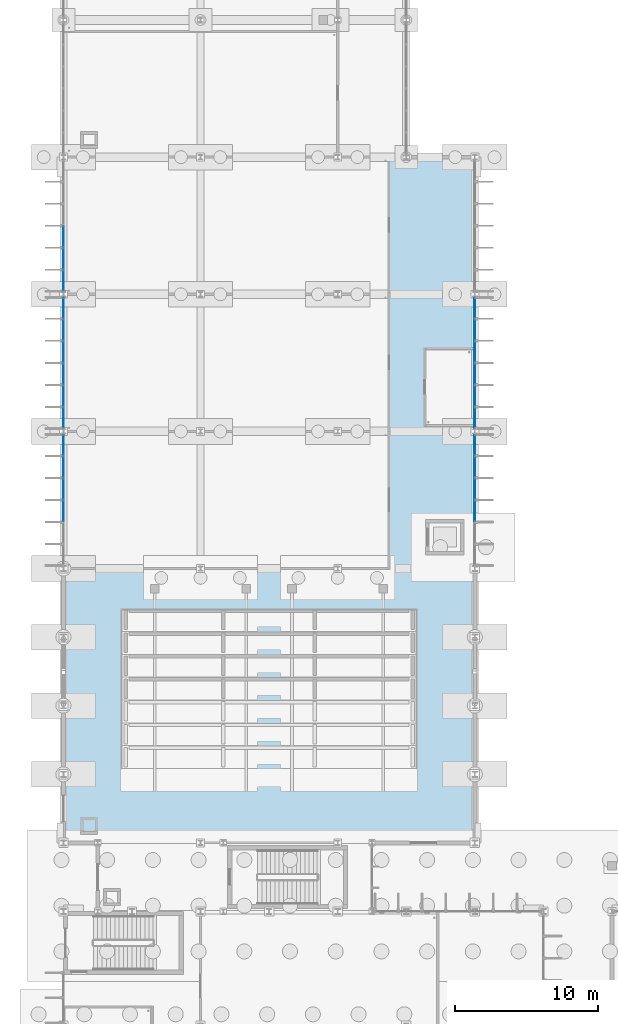
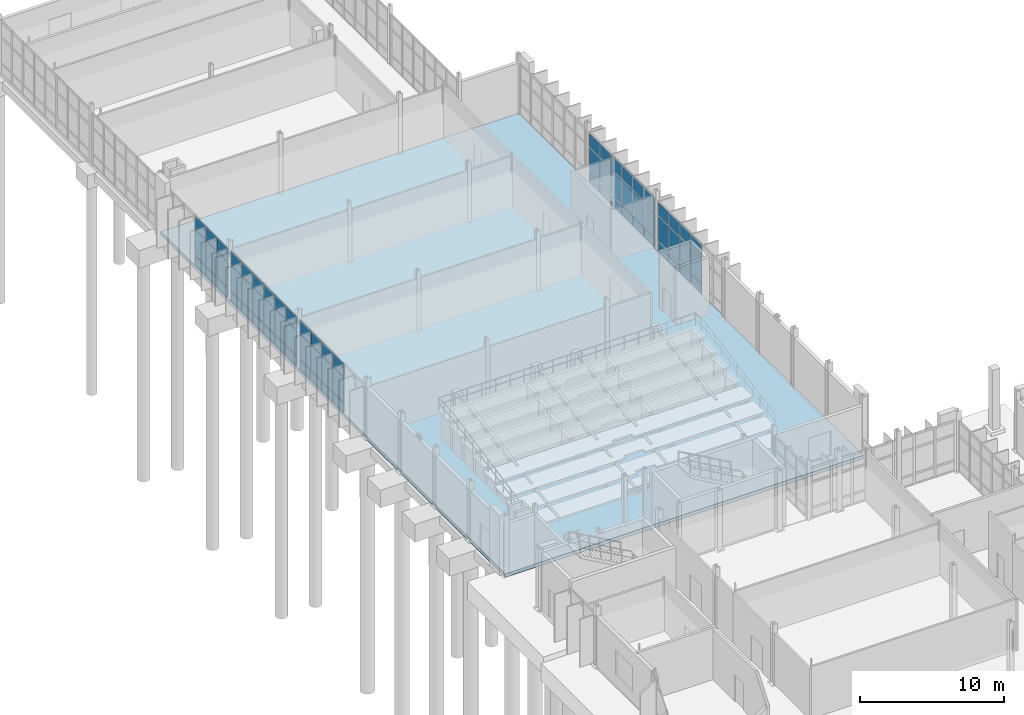
# One storey, part 46 of 111: 69 plates, 1 slab, 5 elements without a shape of their own.
"""IFC4 building model written with IfcOpenShell, lengths in metres."""

from ifc_helpers import new_model, si_unit, direction, frame, origin, origin_2d, place, context, subcontext, project, spatial, polyline, rectangle, outline, extrude, material, layer, layer_set, type_object, element, aggregate, save


model = new_model("IFC4")

# Units and contexts
model_context = context("Model", 3, precision=1e-05, world=origin(), true_north=direction((0.0, 1.0)))
body_context = subcontext(model_context, "Body", "Model", "MODEL_VIEW")
ifc_project = project(units=[si_unit("LENGTHUNIT", "METRE"), si_unit("AREAUNIT", "SQUARE_METRE"), si_unit("VOLUMEUNIT", "CUBIC_METRE"), si_unit("PLANEANGLEUNIT", "RADIAN"), si_unit("MASSUNIT", "GRAM", prefix="KILO")], contexts=[model_context])

# Site, building, storey
site_placement = place(None, origin())
site = spatial("IfcSite", under=ifc_project, at=site_placement, CompositionType="ELEMENT")
building_placement = place(site_placement, origin())
building = spatial("IfcBuilding", under=site, at=building_placement, Name="Dunescarp Central Library", CompositionType="ELEMENT")
storey_placement = place(building_placement, origin())
storey = spatial("IfcBuildingStorey", under=building, at=storey_placement, Name="L00", CompositionType="ELEMENT", Elevation=0.0)

# Curtain wall, plates
ifc_material_1 = material(Name="Marine-grade anodised aluminium 6063-T6", Category="aluminium")
curtain_wall_type = type_object("IfcCurtainWallType", Name="ARC-CW-STICK", PredefinedType="NOTDEFINED", material=ifc_material_1)
curtain_wall_1_placement = place(storey_placement, origin())
curtain_wall_1 = element("IfcCurtainWall", 1, at=curtain_wall_1_placement, inside=storey, type_object=curtain_wall_type, Name="L00 curtain wall CW-V4-112", PredefinedType="NOTDEFINED")
ifc_material_2 = material(Name="Solar-control laminated double glazing", Category="glass")
ifc_layer_1 = layer(ifc_material_2, 0.028076171875)
ifc_layer_set_1 = layer_set([ifc_layer_1], Name="Solar-control laminated double glazing")
plate_type_1 = type_object("IfcPlateType", Name="ARC-PLT-GLZ28", PredefinedType="CURTAIN_PANEL", material=ifc_layer_set_1)
plate_1_placement = place(storey_placement, frame((0.0, 64.8291015625, 0.93994140625), z_axis=(0.0, 0.0, 1.0), x_axis=(0.0, 1.0, 0.0)))
plate_1 = element("IfcPlate", 2, at=plate_1_placement, type_object=plate_type_1, Name="CW-V4-112 panel 3.2", PredefinedType="CURTAIN_PANEL", context=body_context, shape_type="SweptSolid", body=[
    extrude(rectangle(XDim=1.461669921875, YDim=0.028076171875, at=origin_2d()), origin(), (0.0, 0.0, 1.0), 2.1201171875),
])
plate_2_placement = place(storey_placement, frame((0.0, 64.8291015625, 3.139892578125), z_axis=(0.0, 0.0, 1.0), x_axis=(0.0, 1.0, 0.0)))
plate_2 = element("IfcPlate", 3, at=plate_2_placement, type_object=plate_type_1, Name="CW-V4-112 panel 3.3", PredefinedType="CURTAIN_PANEL", context=body_context, shape_type="SweptSolid", body=[
    extrude(rectangle(XDim=1.461669921875, YDim=0.028076171875, at=origin_2d()), origin(), (0.0, 0.0, 1.0), 1.10205078125),
])
plate_3_placement = place(storey_placement, frame((0.0, 66.370849609375, 0.93994140625), z_axis=(0.0, 0.0, 1.0), x_axis=(0.0, 1.0, 0.0)))
plate_3 = element("IfcPlate", 4, at=plate_3_placement, type_object=plate_type_1, Name="CW-V4-112 panel 4.2", PredefinedType="CURTAIN_PANEL", context=body_context, shape_type="SweptSolid", body=[
    extrude(rectangle(XDim=1.461669921875, YDim=0.028076171875, at=origin_2d()), origin(), (0.0, 0.0, 1.0), 2.1201171875),
])
plate_4_placement = place(storey_placement, frame((0.0, 66.370849609375, 3.139892578125), z_axis=(0.0, 0.0, 1.0), x_axis=(0.0, 1.0, 0.0)))
plate_4 = element("IfcPlate", 5, at=plate_4_placement, type_object=plate_type_1, Name="CW-V4-112 panel 4.3", PredefinedType="CURTAIN_PANEL", context=body_context, shape_type="SweptSolid", body=[
    extrude(rectangle(XDim=1.461669921875, YDim=0.028076171875, at=origin_2d()), origin(), (0.0, 0.0, 1.0), 1.10205078125),
])
plate_5_placement = place(storey_placement, frame((0.0, 67.91259765625, 0.93994140625), z_axis=(0.0, 0.0, 1.0), x_axis=(0.0, 1.0, 0.0)))
plate_5 = element("IfcPlate", 6, at=plate_5_placement, type_object=plate_type_1, Name="CW-V4-112 panel 5.2", PredefinedType="CURTAIN_PANEL", context=body_context, shape_type="SweptSolid", body=[
    extrude(rectangle(XDim=1.461669921875, YDim=0.028076171875, at=origin_2d()), origin(), (0.0, 0.0, 1.0), 2.1201171875),
])
plate_6_placement = place(storey_placement, frame((0.0, 67.91259765625, 3.139892578125), z_axis=(0.0, 0.0, 1.0), x_axis=(0.0, 1.0, 0.0)))
plate_6 = element("IfcPlate", 7, at=plate_6_placement, type_object=plate_type_1, Name="CW-V4-112 panel 5.3", PredefinedType="CURTAIN_PANEL", context=body_context, shape_type="SweptSolid", body=[
    extrude(rectangle(XDim=1.461669921875, YDim=0.028076171875, at=origin_2d()), origin(), (0.0, 0.0, 1.0), 1.10205078125),
])
plate_7_placement = place(storey_placement, frame((0.0, 69.43408203125, 0.93994140625), z_axis=(0.0, 0.0, 1.0), x_axis=(0.0, 1.0, 0.0)))
plate_7 = element("IfcPlate", 8, at=plate_7_placement, type_object=plate_type_1, Name="CW-V4-112 panel 6.2", PredefinedType="CURTAIN_PANEL", context=body_context, shape_type="SweptSolid", body=[
    extrude(rectangle(XDim=1.421630859375, YDim=0.028076171875, at=origin_2d()), origin(), (0.0, 0.0, 1.0), 2.1201171875),
])
plate_8_placement = place(storey_placement, frame((0.0, 69.43408203125, 3.139892578125), z_axis=(0.0, 0.0, 1.0), x_axis=(0.0, 1.0, 0.0)))
plate_8 = element("IfcPlate", 9, at=plate_8_placement, type_object=plate_type_1, Name="CW-V4-112 panel 6.3", PredefinedType="CURTAIN_PANEL", context=body_context, shape_type="SweptSolid", body=[
    extrude(rectangle(XDim=1.421630859375, YDim=0.028076171875, at=origin_2d()), origin(), (0.0, 0.0, 1.0), 1.10205078125),
])

curtain_wall_2_placement = place(storey_placement, origin())
curtain_wall_2 = element("IfcCurtainWall", 10, at=curtain_wall_2_placement, inside=storey, type_object=curtain_wall_type, Name="L00 curtain wall CW-V4-113", PredefinedType="NOTDEFINED")
plate_9_placement = place(storey_placement, frame((28.800048828125, 69.43408203125, 0.93994140625), z_axis=(0.0, 0.0, 1.0), x_axis=(0.0, -1.0, 0.0)))
plate_9 = element("IfcPlate", 11, at=plate_9_placement, type_object=plate_type_1, Name="CW-V4-113 panel 1.2", PredefinedType="CURTAIN_PANEL", context=body_context, shape_type="SweptSolid", body=[
    extrude(rectangle(XDim=1.421630859375, YDim=0.028076171875, at=origin_2d()), origin(), (0.0, 0.0, 1.0), 2.1201171875),
])
plate_10_placement = place(storey_placement, frame((28.800048828125, 69.43408203125, 3.139892578125), z_axis=(0.0, 0.0, 1.0), x_axis=(0.0, -1.0, 0.0)))
plate_10 = element("IfcPlate", 12, at=plate_10_placement, type_object=plate_type_1, Name="CW-V4-113 panel 1.3", PredefinedType="CURTAIN_PANEL", context=body_context, shape_type="SweptSolid", body=[
    extrude(rectangle(XDim=1.421630859375, YDim=0.028076171875, at=origin_2d()), origin(), (0.0, 0.0, 1.0), 1.10205078125),
])
plate_11_placement = place(storey_placement, frame((28.800048828125, 67.91259765625, 0.93994140625), z_axis=(0.0, 0.0, 1.0), x_axis=(0.0, -1.0, 0.0)))
plate_11 = element("IfcPlate", 13, at=plate_11_placement, type_object=plate_type_1, Name="CW-V4-113 panel 2.2", PredefinedType="CURTAIN_PANEL", context=body_context, shape_type="SweptSolid", body=[
    extrude(rectangle(XDim=1.461669921875, YDim=0.028076171875, at=origin_2d()), origin(), (0.0, 0.0, 1.0), 2.1201171875),
])
plate_12_placement = place(storey_placement, frame((28.800048828125, 67.91259765625, 3.139892578125), z_axis=(0.0, 0.0, 1.0), x_axis=(0.0, -1.0, 0.0)))
plate_12 = element("IfcPlate", 14, at=plate_12_placement, type_object=plate_type_1, Name="CW-V4-113 panel 2.3", PredefinedType="CURTAIN_PANEL", context=body_context, shape_type="SweptSolid", body=[
    extrude(rectangle(XDim=1.461669921875, YDim=0.028076171875, at=origin_2d()), origin(), (0.0, 0.0, 1.0), 1.10205078125),
])
plate_13_placement = place(storey_placement, frame((28.800048828125, 66.370849609375, 0.93994140625), z_axis=(0.0, 0.0, 1.0), x_axis=(0.0, -1.0, 0.0)))
plate_13 = element("IfcPlate", 15, at=plate_13_placement, type_object=plate_type_1, Name="CW-V4-113 panel 3.2", PredefinedType="CURTAIN_PANEL", context=body_context, shape_type="SweptSolid", body=[
    extrude(rectangle(XDim=1.461669921875, YDim=0.028076171875, at=origin_2d()), origin(), (0.0, 0.0, 1.0), 2.1201171875),
])
plate_14_placement = place(storey_placement, frame((28.800048828125, 66.370849609375, 3.139892578125), z_axis=(0.0, 0.0, 1.0), x_axis=(0.0, -1.0, 0.0)))
plate_14 = element("IfcPlate", 16, at=plate_14_placement, type_object=plate_type_1, Name="CW-V4-113 panel 3.3", PredefinedType="CURTAIN_PANEL", context=body_context, shape_type="SweptSolid", body=[
    extrude(rectangle(XDim=1.461669921875, YDim=0.028076171875, at=origin_2d()), origin(), (0.0, 0.0, 1.0), 1.10205078125),
])
plate_15_placement = place(storey_placement, frame((28.800048828125, 64.8291015625, 0.93994140625), z_axis=(0.0, 0.0, 1.0), x_axis=(0.0, -1.0, 0.0)))
plate_15 = element("IfcPlate", 17, at=plate_15_placement, type_object=plate_type_1, Name="CW-V4-113 panel 4.2", PredefinedType="CURTAIN_PANEL", context=body_context, shape_type="SweptSolid", body=[
    extrude(rectangle(XDim=1.461669921875, YDim=0.028076171875, at=origin_2d()), origin(), (0.0, 0.0, 1.0), 2.1201171875),
])
plate_16_placement = place(storey_placement, frame((28.800048828125, 64.8291015625, 3.139892578125), z_axis=(0.0, 0.0, 1.0), x_axis=(0.0, -1.0, 0.0)))
plate_16 = element("IfcPlate", 18, at=plate_16_placement, type_object=plate_type_1, Name="CW-V4-113 panel 4.3", PredefinedType="CURTAIN_PANEL", context=body_context, shape_type="SweptSolid", body=[
    extrude(rectangle(XDim=1.461669921875, YDim=0.028076171875, at=origin_2d()), origin(), (0.0, 0.0, 1.0), 1.10205078125),
])

curtain_wall_3_placement = place(storey_placement, origin())
curtain_wall_3 = element("IfcCurtainWall", 19, at=curtain_wall_3_placement, inside=storey, type_object=curtain_wall_type, Name="L00 curtain wall CW-V4-114", PredefinedType="NOTDEFINED")
plate_17_placement = place(storey_placement, frame((0.0, 71.36572265625, 0.93994140625), z_axis=(0.0, 0.0, 1.0), x_axis=(0.0, 1.0, 0.0)))
plate_17 = element("IfcPlate", 20, at=plate_17_placement, type_object=plate_type_1, Name="CW-V4-114 panel 1.2", PredefinedType="CURTAIN_PANEL", context=body_context, shape_type="SweptSolid", body=[
    extrude(rectangle(XDim=1.421630859375, YDim=0.028076171875, at=origin_2d()), origin(), (0.0, 0.0, 1.0), 2.1201171875),
])
plate_18_placement = place(storey_placement, frame((0.0, 71.36572265625, 3.14013671875), z_axis=(0.0, 0.0, 1.0), x_axis=(0.0, 1.0, 0.0)))
plate_18 = element("IfcPlate", 21, at=plate_18_placement, type_object=plate_type_1, Name="CW-V4-114 panel 1.3", PredefinedType="CURTAIN_PANEL", context=body_context, shape_type="SweptSolid", body=[
    extrude(rectangle(XDim=1.421630859375, YDim=0.028076171875, at=origin_2d()), origin(), (0.0, 0.0, 1.0), 1.135009765625),
])
plate_19_placement = place(storey_placement, frame((0.0, 72.887451171875, 0.93994140625), z_axis=(0.0, 0.0, 1.0), x_axis=(0.0, 1.0, 0.0)))
plate_19 = element("IfcPlate", 22, at=plate_19_placement, type_object=plate_type_1, Name="CW-V4-114 panel 2.2", PredefinedType="CURTAIN_PANEL", context=body_context, shape_type="SweptSolid", body=[
    extrude(rectangle(XDim=1.461669921875, YDim=0.028076171875, at=origin_2d()), origin(), (0.0, 0.0, 1.0), 2.1201171875),
])
plate_20_placement = place(storey_placement, frame((0.0, 72.887451171875, 3.14013671875), z_axis=(0.0, 0.0, 1.0), x_axis=(0.0, 1.0, 0.0)))
plate_20 = element("IfcPlate", 23, at=plate_20_placement, type_object=plate_type_1, Name="CW-V4-114 panel 2.3", PredefinedType="CURTAIN_PANEL", context=body_context, shape_type="SweptSolid", body=[
    extrude(rectangle(XDim=1.461669921875, YDim=0.028076171875, at=origin_2d()), origin(), (0.0, 0.0, 1.0), 1.135009765625),
])
plate_21_placement = place(storey_placement, frame((0.0, 74.42919921875, 0.93994140625), z_axis=(0.0, 0.0, 1.0), x_axis=(0.0, 1.0, 0.0)))
plate_21 = element("IfcPlate", 24, at=plate_21_placement, type_object=plate_type_1, Name="CW-V4-114 panel 3.2", PredefinedType="CURTAIN_PANEL", context=body_context, shape_type="SweptSolid", body=[
    extrude(rectangle(XDim=1.461669921875, YDim=0.028076171875, at=origin_2d()), origin(), (0.0, 0.0, 1.0), 2.1201171875),
])
plate_22_placement = place(storey_placement, frame((0.0, 74.42919921875, 3.14013671875), z_axis=(0.0, 0.0, 1.0), x_axis=(0.0, 1.0, 0.0)))
plate_22 = element("IfcPlate", 25, at=plate_22_placement, type_object=plate_type_1, Name="CW-V4-114 panel 3.3", PredefinedType="CURTAIN_PANEL", context=body_context, shape_type="SweptSolid", body=[
    extrude(rectangle(XDim=1.461669921875, YDim=0.028076171875, at=origin_2d()), origin(), (0.0, 0.0, 1.0), 1.135009765625),
])
plate_23_placement = place(storey_placement, frame((0.0, 75.970947265625, 0.93994140625), z_axis=(0.0, 0.0, 1.0), x_axis=(0.0, 1.0, 0.0)))
plate_23 = element("IfcPlate", 26, at=plate_23_placement, type_object=plate_type_1, Name="CW-V4-114 panel 4.2", PredefinedType="CURTAIN_PANEL", context=body_context, shape_type="SweptSolid", body=[
    extrude(rectangle(XDim=1.461669921875, YDim=0.028076171875, at=origin_2d()), origin(), (0.0, 0.0, 1.0), 2.1201171875),
])
plate_24_placement = place(storey_placement, frame((0.0, 75.970947265625, 3.14013671875), z_axis=(0.0, 0.0, 1.0), x_axis=(0.0, 1.0, 0.0)))
plate_24 = element("IfcPlate", 27, at=plate_24_placement, type_object=plate_type_1, Name="CW-V4-114 panel 4.3", PredefinedType="CURTAIN_PANEL", context=body_context, shape_type="SweptSolid", body=[
    extrude(rectangle(XDim=1.461669921875, YDim=0.028076171875, at=origin_2d()), origin(), (0.0, 0.0, 1.0), 1.135009765625),
])
plate_25_placement = place(storey_placement, frame((0.0, 77.512451171875, 0.93994140625), z_axis=(0.0, 0.0, 1.0), x_axis=(0.0, 1.0, 0.0)))
plate_25 = element("IfcPlate", 28, at=plate_25_placement, type_object=plate_type_1, Name="CW-V4-114 panel 5.2", PredefinedType="CURTAIN_PANEL", context=body_context, shape_type="SweptSolid", body=[
    extrude(rectangle(XDim=1.461669921875, YDim=0.028076171875, at=origin_2d()), origin(), (0.0, 0.0, 1.0), 2.1201171875),
])
plate_26_placement = place(storey_placement, frame((0.0, 77.512451171875, 3.14013671875), z_axis=(0.0, 0.0, 1.0), x_axis=(0.0, 1.0, 0.0)))
plate_26 = element("IfcPlate", 29, at=plate_26_placement, type_object=plate_type_1, Name="CW-V4-114 panel 5.3", PredefinedType="CURTAIN_PANEL", context=body_context, shape_type="SweptSolid", body=[
    extrude(rectangle(XDim=1.461669921875, YDim=0.028076171875, at=origin_2d()), origin(), (0.0, 0.0, 1.0), 1.135009765625),
])
plate_27_placement = place(storey_placement, frame((0.0, 79.0341796875, 0.93994140625), z_axis=(0.0, 0.0, 1.0), x_axis=(0.0, 1.0, 0.0)))
plate_27 = element("IfcPlate", 30, at=plate_27_placement, type_object=plate_type_1, Name="CW-V4-114 panel 6.2", PredefinedType="CURTAIN_PANEL", context=body_context, shape_type="SweptSolid", body=[
    extrude(rectangle(XDim=1.421630859375, YDim=0.028076171875, at=origin_2d()), origin(), (0.0, 0.0, 1.0), 2.1201171875),
])
plate_28_placement = place(storey_placement, frame((0.0, 79.0341796875, 3.14013671875), z_axis=(0.0, 0.0, 1.0), x_axis=(0.0, 1.0, 0.0)))
plate_28 = element("IfcPlate", 31, at=plate_28_placement, type_object=plate_type_1, Name="CW-V4-114 panel 6.3", PredefinedType="CURTAIN_PANEL", context=body_context, shape_type="SweptSolid", body=[
    extrude(rectangle(XDim=1.421630859375, YDim=0.028076171875, at=origin_2d()), origin(), (0.0, 0.0, 1.0), 1.135009765625),
])

curtain_wall_4_placement = place(storey_placement, origin())
curtain_wall_4 = element("IfcCurtainWall", 32, at=curtain_wall_4_placement, inside=storey, type_object=curtain_wall_type, Name="L00 curtain wall CW-V4-115", PredefinedType="NOTDEFINED")
plate_29_placement = place(storey_placement, frame((28.800048828125, 79.0341796875, 0.93994140625), z_axis=(0.0, 0.0, 1.0), x_axis=(0.0, -1.0, 0.0)))
plate_29 = element("IfcPlate", 33, at=plate_29_placement, type_object=plate_type_1, Name="CW-V4-115 panel 1.2", PredefinedType="CURTAIN_PANEL", context=body_context, shape_type="SweptSolid", body=[
    extrude(rectangle(XDim=1.421630859375, YDim=0.028076171875, at=origin_2d()), origin(), (0.0, 0.0, 1.0), 2.1201171875),
])
plate_30_placement = place(storey_placement, frame((28.800048828125, 79.0341796875, 3.14013671875), z_axis=(0.0, 0.0, 1.0), x_axis=(0.0, -1.0, 0.0)))
plate_30 = element("IfcPlate", 34, at=plate_30_placement, type_object=plate_type_1, Name="CW-V4-115 panel 1.3", PredefinedType="CURTAIN_PANEL", context=body_context, shape_type="SweptSolid", body=[
    extrude(rectangle(XDim=1.421630859375, YDim=0.028076171875, at=origin_2d()), origin(), (0.0, 0.0, 1.0), 1.135009765625),
])
plate_31_placement = place(storey_placement, frame((28.800048828125, 77.512451171875, 0.93994140625), z_axis=(0.0, 0.0, 1.0), x_axis=(0.0, -1.0, 0.0)))
plate_31 = element("IfcPlate", 35, at=plate_31_placement, type_object=plate_type_1, Name="CW-V4-115 panel 2.2", PredefinedType="CURTAIN_PANEL", context=body_context, shape_type="SweptSolid", body=[
    extrude(rectangle(XDim=1.461669921875, YDim=0.028076171875, at=origin_2d()), origin(), (0.0, 0.0, 1.0), 2.1201171875),
])
plate_32_placement = place(storey_placement, frame((28.800048828125, 77.512451171875, 3.14013671875), z_axis=(0.0, 0.0, 1.0), x_axis=(0.0, -1.0, 0.0)))
plate_32 = element("IfcPlate", 36, at=plate_32_placement, type_object=plate_type_1, Name="CW-V4-115 panel 2.3", PredefinedType="CURTAIN_PANEL", context=body_context, shape_type="SweptSolid", body=[
    extrude(rectangle(XDim=1.461669921875, YDim=0.028076171875, at=origin_2d()), origin(), (0.0, 0.0, 1.0), 1.135009765625),
])
plate_33_placement = place(storey_placement, frame((28.800048828125, 75.970947265625, 0.93994140625), z_axis=(0.0, 0.0, 1.0), x_axis=(0.0, -1.0, 0.0)))
plate_33 = element("IfcPlate", 37, at=plate_33_placement, type_object=plate_type_1, Name="CW-V4-115 panel 3.2", PredefinedType="CURTAIN_PANEL", context=body_context, shape_type="SweptSolid", body=[
    extrude(rectangle(XDim=1.461669921875, YDim=0.028076171875, at=origin_2d()), origin(), (0.0, 0.0, 1.0), 2.1201171875),
])
plate_34_placement = place(storey_placement, frame((28.800048828125, 75.970947265625, 3.14013671875), z_axis=(0.0, 0.0, 1.0), x_axis=(0.0, -1.0, 0.0)))
plate_34 = element("IfcPlate", 38, at=plate_34_placement, type_object=plate_type_1, Name="CW-V4-115 panel 3.3", PredefinedType="CURTAIN_PANEL", context=body_context, shape_type="SweptSolid", body=[
    extrude(rectangle(XDim=1.461669921875, YDim=0.028076171875, at=origin_2d()), origin(), (0.0, 0.0, 1.0), 1.135009765625),
])
plate_35_placement = place(storey_placement, frame((28.800048828125, 74.42919921875, 0.93994140625), z_axis=(0.0, 0.0, 1.0), x_axis=(0.0, -1.0, 0.0)))
plate_35 = element("IfcPlate", 39, at=plate_35_placement, type_object=plate_type_1, Name="CW-V4-115 panel 4.2", PredefinedType="CURTAIN_PANEL", context=body_context, shape_type="SweptSolid", body=[
    extrude(rectangle(XDim=1.461669921875, YDim=0.028076171875, at=origin_2d()), origin(), (0.0, 0.0, 1.0), 2.1201171875),
])
plate_36_placement = place(storey_placement, frame((28.800048828125, 74.42919921875, 3.14013671875), z_axis=(0.0, 0.0, 1.0), x_axis=(0.0, -1.0, 0.0)))
plate_36 = element("IfcPlate", 40, at=plate_36_placement, type_object=plate_type_1, Name="CW-V4-115 panel 4.3", PredefinedType="CURTAIN_PANEL", context=body_context, shape_type="SweptSolid", body=[
    extrude(rectangle(XDim=1.461669921875, YDim=0.028076171875, at=origin_2d()), origin(), (0.0, 0.0, 1.0), 1.135009765625),
])
plate_37_placement = place(storey_placement, frame((28.800048828125, 72.887451171875, 0.93994140625), z_axis=(0.0, 0.0, 1.0), x_axis=(0.0, -1.0, 0.0)))
plate_37 = element("IfcPlate", 41, at=plate_37_placement, type_object=plate_type_1, Name="CW-V4-115 panel 5.2", PredefinedType="CURTAIN_PANEL", context=body_context, shape_type="SweptSolid", body=[
    extrude(rectangle(XDim=1.461669921875, YDim=0.028076171875, at=origin_2d()), origin(), (0.0, 0.0, 1.0), 2.1201171875),
])
plate_38_placement = place(storey_placement, frame((28.800048828125, 72.887451171875, 3.14013671875), z_axis=(0.0, 0.0, 1.0), x_axis=(0.0, -1.0, 0.0)))
plate_38 = element("IfcPlate", 42, at=plate_38_placement, type_object=plate_type_1, Name="CW-V4-115 panel 5.3", PredefinedType="CURTAIN_PANEL", context=body_context, shape_type="SweptSolid", body=[
    extrude(rectangle(XDim=1.461669921875, YDim=0.028076171875, at=origin_2d()), origin(), (0.0, 0.0, 1.0), 1.135009765625),
])
plate_39_placement = place(storey_placement, frame((28.800048828125, 71.36572265625, 0.93994140625), z_axis=(0.0, 0.0, 1.0), x_axis=(0.0, -1.0, 0.0)))
plate_39 = element("IfcPlate", 43, at=plate_39_placement, type_object=plate_type_1, Name="CW-V4-115 panel 6.2", PredefinedType="CURTAIN_PANEL", context=body_context, shape_type="SweptSolid", body=[
    extrude(rectangle(XDim=1.421630859375, YDim=0.028076171875, at=origin_2d()), origin(), (0.0, 0.0, 1.0), 2.1201171875),
])
plate_40_placement = place(storey_placement, frame((28.800048828125, 71.36572265625, 3.14013671875), z_axis=(0.0, 0.0, 1.0), x_axis=(0.0, -1.0, 0.0)))
plate_40 = element("IfcPlate", 44, at=plate_40_placement, type_object=plate_type_1, Name="CW-V4-115 panel 6.3", PredefinedType="CURTAIN_PANEL", context=body_context, shape_type="SweptSolid", body=[
    extrude(rectangle(XDim=1.421630859375, YDim=0.028076171875, at=origin_2d()), origin(), (0.0, 0.0, 1.0), 1.135009765625),
])

curtain_wall_5_placement = place(storey_placement, origin())
curtain_wall_5 = element("IfcCurtainWall", 45, at=curtain_wall_5_placement, inside=storey, type_object=curtain_wall_type, Name="L00 curtain wall CW-V4-116", PredefinedType="NOTDEFINED")
plate_41_placement = place(storey_placement, frame((0.0, 80.9658203125, 0.93994140625), z_axis=(0.0, 0.0, 1.0), x_axis=(0.0, 1.0, 0.0)))
plate_41 = element("IfcPlate", 46, at=plate_41_placement, type_object=plate_type_1, Name="CW-V4-116 panel 1.2", PredefinedType="CURTAIN_PANEL", context=body_context, shape_type="SweptSolid", body=[
    extrude(rectangle(XDim=1.421630859375, YDim=0.028076171875, at=origin_2d()), origin(), (0.0, 0.0, 1.0), 2.1201171875),
])
plate_42_placement = place(storey_placement, frame((0.0, 80.9658203125, 3.14013671875), z_axis=(0.0, 0.0, 1.0), x_axis=(0.0, 1.0, 0.0)))
plate_42 = element("IfcPlate", 47, at=plate_42_placement, type_object=plate_type_1, Name="CW-V4-116 panel 1.3", PredefinedType="CURTAIN_PANEL", context=body_context, shape_type="SweptSolid", body=[
    extrude(rectangle(XDim=1.421630859375, YDim=0.028076171875, at=origin_2d()), origin(), (0.0, 0.0, 1.0), 1.135009765625),
])
plate_43_placement = place(storey_placement, frame((0.0, 82.487548828125, 0.93994140625), z_axis=(0.0, 0.0, 1.0), x_axis=(0.0, 1.0, 0.0)))
plate_43 = element("IfcPlate", 48, at=plate_43_placement, type_object=plate_type_1, Name="CW-V4-116 panel 2.2", PredefinedType="CURTAIN_PANEL", context=body_context, shape_type="SweptSolid", body=[
    extrude(rectangle(XDim=1.461669921875, YDim=0.028076171875, at=origin_2d()), origin(), (0.0, 0.0, 1.0), 2.1201171875),
])
plate_44_placement = place(storey_placement, frame((0.0, 82.487548828125, 3.14013671875), z_axis=(0.0, 0.0, 1.0), x_axis=(0.0, 1.0, 0.0)))
plate_44 = element("IfcPlate", 49, at=plate_44_placement, type_object=plate_type_1, Name="CW-V4-116 panel 2.3", PredefinedType="CURTAIN_PANEL", context=body_context, shape_type="SweptSolid", body=[
    extrude(rectangle(XDim=1.461669921875, YDim=0.028076171875, at=origin_2d()), origin(), (0.0, 0.0, 1.0), 1.135009765625),
])
plate_45_placement = place(storey_placement, frame((0.0, 84.029052734375, 0.93994140625), z_axis=(0.0, 0.0, 1.0), x_axis=(0.0, 1.0, 0.0)))
plate_45 = element("IfcPlate", 50, at=plate_45_placement, type_object=plate_type_1, Name="CW-V4-116 panel 3.2", PredefinedType="CURTAIN_PANEL", context=body_context, shape_type="SweptSolid", body=[
    extrude(rectangle(XDim=1.461669921875, YDim=0.028076171875, at=origin_2d()), origin(), (0.0, 0.0, 1.0), 2.1201171875),
])
plate_46_placement = place(storey_placement, frame((0.0, 84.029052734375, 3.14013671875), z_axis=(0.0, 0.0, 1.0), x_axis=(0.0, 1.0, 0.0)))
plate_46 = element("IfcPlate", 51, at=plate_46_placement, type_object=plate_type_1, Name="CW-V4-116 panel 3.3", PredefinedType="CURTAIN_PANEL", context=body_context, shape_type="SweptSolid", body=[
    extrude(rectangle(XDim=1.461669921875, YDim=0.028076171875, at=origin_2d()), origin(), (0.0, 0.0, 1.0), 1.135009765625),
])

# Plate
ifc_layer_2 = layer(ifc_material_1, 0.050048828125)
ifc_layer_set_2 = layer_set([ifc_layer_2], Name="Marine-grade anodised aluminium 6063-T6")
plate_type_2 = type_object("IfcPlateType", Name="ARC-PLT-SPN50", PredefinedType="SHEET", material=ifc_layer_set_2)
plate_47_placement = place(storey_placement, frame((0.0, 64.8291015625, 0.080078125), z_axis=(0.0, 0.0, 1.0), x_axis=(0.0, 1.0, 0.0)))
plate_47 = element("IfcPlate", 52, at=plate_47_placement, type_object=plate_type_2, Name="CW-V4-112 panel 3.1", PredefinedType="SHEET", context=body_context, shape_type="SweptSolid", body=[
    extrude(rectangle(XDim=1.461669921875, YDim=0.050048828125, at=origin_2d()), origin(), (0.0, 0.0, 1.0), 0.780029296875),
])

plate_48_placement = place(storey_placement, frame((0.0, 66.370849609375, 0.080078125), z_axis=(0.0, 0.0, 1.0), x_axis=(0.0, 1.0, 0.0)))
plate_48 = element("IfcPlate", 53, at=plate_48_placement, type_object=plate_type_2, Name="CW-V4-112 panel 4.1", PredefinedType="SHEET", context=body_context, shape_type="SweptSolid", body=[
    extrude(rectangle(XDim=1.461669921875, YDim=0.050048828125, at=origin_2d()), origin(), (0.0, 0.0, 1.0), 0.780029296875),
])

plate_49_placement = place(storey_placement, frame((0.0, 67.91259765625, 0.080078125), z_axis=(0.0, 0.0, 1.0), x_axis=(0.0, 1.0, 0.0)))
plate_49 = element("IfcPlate", 54, at=plate_49_placement, type_object=plate_type_2, Name="CW-V4-112 panel 5.1", PredefinedType="SHEET", context=body_context, shape_type="SweptSolid", body=[
    extrude(rectangle(XDim=1.461669921875, YDim=0.050048828125, at=origin_2d()), origin(), (0.0, 0.0, 1.0), 0.780029296875),
])

plate_50_placement = place(storey_placement, frame((0.0, 69.43408203125, 0.080078125), z_axis=(0.0, 0.0, 1.0), x_axis=(0.0, 1.0, 0.0)))
plate_50 = element("IfcPlate", 55, at=plate_50_placement, type_object=plate_type_2, Name="CW-V4-112 panel 6.1", PredefinedType="SHEET", context=body_context, shape_type="SweptSolid", body=[
    extrude(rectangle(XDim=1.421630859375, YDim=0.050048828125, at=origin_2d()), origin(), (0.0, 0.0, 1.0), 0.780029296875),
])

aggregate(curtain_wall_1, [plate_47, plate_1, plate_2, plate_48, plate_3, plate_4, plate_49, plate_5, plate_6, plate_50, plate_7, plate_8])

plate_51_placement = place(storey_placement, frame((28.800048828125, 69.43408203125, 0.080078125), z_axis=(0.0, 0.0, 1.0), x_axis=(0.0, -1.0, 0.0)))
plate_51 = element("IfcPlate", 56, at=plate_51_placement, type_object=plate_type_2, Name="CW-V4-113 panel 1.1", PredefinedType="SHEET", context=body_context, shape_type="SweptSolid", body=[
    extrude(rectangle(XDim=1.421630859375, YDim=0.050048828125, at=origin_2d()), origin(), (0.0, 0.0, 1.0), 0.780029296875),
])

plate_52_placement = place(storey_placement, frame((28.800048828125, 67.91259765625, 0.080078125), z_axis=(0.0, 0.0, 1.0), x_axis=(0.0, -1.0, 0.0)))
plate_52 = element("IfcPlate", 57, at=plate_52_placement, type_object=plate_type_2, Name="CW-V4-113 panel 2.1", PredefinedType="SHEET", context=body_context, shape_type="SweptSolid", body=[
    extrude(rectangle(XDim=1.461669921875, YDim=0.050048828125, at=origin_2d()), origin(), (0.0, 0.0, 1.0), 0.780029296875),
])

plate_53_placement = place(storey_placement, frame((28.800048828125, 66.370849609375, 0.080078125), z_axis=(0.0, 0.0, 1.0), x_axis=(0.0, -1.0, 0.0)))
plate_53 = element("IfcPlate", 58, at=plate_53_placement, type_object=plate_type_2, Name="CW-V4-113 panel 3.1", PredefinedType="SHEET", context=body_context, shape_type="SweptSolid", body=[
    extrude(rectangle(XDim=1.461669921875, YDim=0.050048828125, at=origin_2d()), origin(), (0.0, 0.0, 1.0), 0.780029296875),
])

plate_54_placement = place(storey_placement, frame((28.800048828125, 64.8291015625, 0.080078125), z_axis=(0.0, 0.0, 1.0), x_axis=(0.0, -1.0, 0.0)))
plate_54 = element("IfcPlate", 59, at=plate_54_placement, type_object=plate_type_2, Name="CW-V4-113 panel 4.1", PredefinedType="SHEET", context=body_context, shape_type="SweptSolid", body=[
    extrude(rectangle(XDim=1.461669921875, YDim=0.050048828125, at=origin_2d()), origin(), (0.0, 0.0, 1.0), 0.780029296875),
])

aggregate(curtain_wall_2, [plate_51, plate_9, plate_10, plate_52, plate_11, plate_12, plate_53, plate_13, plate_14, plate_54, plate_15, plate_16])

plate_55_placement = place(storey_placement, frame((0.0, 71.36572265625, 0.080078125), z_axis=(0.0, 0.0, 1.0), x_axis=(0.0, 1.0, 0.0)))
plate_55 = element("IfcPlate", 60, at=plate_55_placement, type_object=plate_type_2, Name="CW-V4-114 panel 1.1", PredefinedType="SHEET", context=body_context, shape_type="SweptSolid", body=[
    extrude(rectangle(XDim=1.421630859375, YDim=0.050048828125, at=origin_2d()), origin(), (0.0, 0.0, 1.0), 0.780029296875),
])

plate_56_placement = place(storey_placement, frame((0.0, 72.887451171875, 0.080078125), z_axis=(0.0, 0.0, 1.0), x_axis=(0.0, 1.0, 0.0)))
plate_56 = element("IfcPlate", 61, at=plate_56_placement, type_object=plate_type_2, Name="CW-V4-114 panel 2.1", PredefinedType="SHEET", context=body_context, shape_type="SweptSolid", body=[
    extrude(rectangle(XDim=1.461669921875, YDim=0.050048828125, at=origin_2d()), origin(), (0.0, 0.0, 1.0), 0.780029296875),
])

plate_57_placement = place(storey_placement, frame((0.0, 74.42919921875, 0.080078125), z_axis=(0.0, 0.0, 1.0), x_axis=(0.0, 1.0, 0.0)))
plate_57 = element("IfcPlate", 62, at=plate_57_placement, type_object=plate_type_2, Name="CW-V4-114 panel 3.1", PredefinedType="SHEET", context=body_context, shape_type="SweptSolid", body=[
    extrude(rectangle(XDim=1.461669921875, YDim=0.050048828125, at=origin_2d()), origin(), (0.0, 0.0, 1.0), 0.780029296875),
])

plate_58_placement = place(storey_placement, frame((0.0, 75.970947265625, 0.080078125), z_axis=(0.0, 0.0, 1.0), x_axis=(0.0, 1.0, 0.0)))
plate_58 = element("IfcPlate", 63, at=plate_58_placement, type_object=plate_type_2, Name="CW-V4-114 panel 4.1", PredefinedType="SHEET", context=body_context, shape_type="SweptSolid", body=[
    extrude(rectangle(XDim=1.461669921875, YDim=0.050048828125, at=origin_2d()), origin(), (0.0, 0.0, 1.0), 0.780029296875),
])

plate_59_placement = place(storey_placement, frame((0.0, 77.512451171875, 0.080078125), z_axis=(0.0, 0.0, 1.0), x_axis=(0.0, 1.0, 0.0)))
plate_59 = element("IfcPlate", 64, at=plate_59_placement, type_object=plate_type_2, Name="CW-V4-114 panel 5.1", PredefinedType="SHEET", context=body_context, shape_type="SweptSolid", body=[
    extrude(rectangle(XDim=1.461669921875, YDim=0.050048828125, at=origin_2d()), origin(), (0.0, 0.0, 1.0), 0.780029296875),
])

plate_60_placement = place(storey_placement, frame((0.0, 79.0341796875, 0.080078125), z_axis=(0.0, 0.0, 1.0), x_axis=(0.0, 1.0, 0.0)))
plate_60 = element("IfcPlate", 65, at=plate_60_placement, type_object=plate_type_2, Name="CW-V4-114 panel 6.1", PredefinedType="SHEET", context=body_context, shape_type="SweptSolid", body=[
    extrude(rectangle(XDim=1.421630859375, YDim=0.050048828125, at=origin_2d()), origin(), (0.0, 0.0, 1.0), 0.780029296875),
])

aggregate(curtain_wall_3, [plate_55, plate_17, plate_18, plate_56, plate_19, plate_20, plate_57, plate_21, plate_22, plate_58, plate_23, plate_24, plate_59, plate_25, plate_26, plate_60, plate_27, plate_28])

plate_61_placement = place(storey_placement, frame((28.800048828125, 79.0341796875, 0.080078125), z_axis=(0.0, 0.0, 1.0), x_axis=(0.0, -1.0, 0.0)))
plate_61 = element("IfcPlate", 66, at=plate_61_placement, type_object=plate_type_2, Name="CW-V4-115 panel 1.1", PredefinedType="SHEET", context=body_context, shape_type="SweptSolid", body=[
    extrude(rectangle(XDim=1.421630859375, YDim=0.050048828125, at=origin_2d()), origin(), (0.0, 0.0, 1.0), 0.780029296875),
])

plate_62_placement = place(storey_placement, frame((28.800048828125, 77.512451171875, 0.080078125), z_axis=(0.0, 0.0, 1.0), x_axis=(0.0, -1.0, 0.0)))
plate_62 = element("IfcPlate", 67, at=plate_62_placement, type_object=plate_type_2, Name="CW-V4-115 panel 2.1", PredefinedType="SHEET", context=body_context, shape_type="SweptSolid", body=[
    extrude(rectangle(XDim=1.461669921875, YDim=0.050048828125, at=origin_2d()), origin(), (0.0, 0.0, 1.0), 0.780029296875),
])

plate_63_placement = place(storey_placement, frame((28.800048828125, 75.970947265625, 0.080078125), z_axis=(0.0, 0.0, 1.0), x_axis=(0.0, -1.0, 0.0)))
plate_63 = element("IfcPlate", 68, at=plate_63_placement, type_object=plate_type_2, Name="CW-V4-115 panel 3.1", PredefinedType="SHEET", context=body_context, shape_type="SweptSolid", body=[
    extrude(rectangle(XDim=1.461669921875, YDim=0.050048828125, at=origin_2d()), origin(), (0.0, 0.0, 1.0), 0.780029296875),
])

plate_64_placement = place(storey_placement, frame((28.800048828125, 74.42919921875, 0.080078125), z_axis=(0.0, 0.0, 1.0), x_axis=(0.0, -1.0, 0.0)))
plate_64 = element("IfcPlate", 69, at=plate_64_placement, type_object=plate_type_2, Name="CW-V4-115 panel 4.1", PredefinedType="SHEET", context=body_context, shape_type="SweptSolid", body=[
    extrude(rectangle(XDim=1.461669921875, YDim=0.050048828125, at=origin_2d()), origin(), (0.0, 0.0, 1.0), 0.780029296875),
])

plate_65_placement = place(storey_placement, frame((28.800048828125, 72.887451171875, 0.080078125), z_axis=(0.0, 0.0, 1.0), x_axis=(0.0, -1.0, 0.0)))
plate_65 = element("IfcPlate", 70, at=plate_65_placement, type_object=plate_type_2, Name="CW-V4-115 panel 5.1", PredefinedType="SHEET", context=body_context, shape_type="SweptSolid", body=[
    extrude(rectangle(XDim=1.461669921875, YDim=0.050048828125, at=origin_2d()), origin(), (0.0, 0.0, 1.0), 0.780029296875),
])

plate_66_placement = place(storey_placement, frame((28.800048828125, 71.36572265625, 0.080078125), z_axis=(0.0, 0.0, 1.0), x_axis=(0.0, -1.0, 0.0)))
plate_66 = element("IfcPlate", 71, at=plate_66_placement, type_object=plate_type_2, Name="CW-V4-115 panel 6.1", PredefinedType="SHEET", context=body_context, shape_type="SweptSolid", body=[
    extrude(rectangle(XDim=1.421630859375, YDim=0.050048828125, at=origin_2d()), origin(), (0.0, 0.0, 1.0), 0.780029296875),
])

aggregate(curtain_wall_4, [plate_61, plate_29, plate_30, plate_62, plate_31, plate_32, plate_63, plate_33, plate_34, plate_64, plate_35, plate_36, plate_65, plate_37, plate_38, plate_66, plate_39, plate_40])

plate_67_placement = place(storey_placement, frame((0.0, 80.9658203125, 0.080078125), z_axis=(0.0, 0.0, 1.0), x_axis=(0.0, 1.0, 0.0)))
plate_67 = element("IfcPlate", 72, at=plate_67_placement, type_object=plate_type_2, Name="CW-V4-116 panel 1.1", PredefinedType="SHEET", context=body_context, shape_type="SweptSolid", body=[
    extrude(rectangle(XDim=1.421630859375, YDim=0.050048828125, at=origin_2d()), origin(), (0.0, 0.0, 1.0), 0.780029296875),
])

plate_68_placement = place(storey_placement, frame((0.0, 82.487548828125, 0.080078125), z_axis=(0.0, 0.0, 1.0), x_axis=(0.0, 1.0, 0.0)))
plate_68 = element("IfcPlate", 73, at=plate_68_placement, type_object=plate_type_2, Name="CW-V4-116 panel 2.1", PredefinedType="SHEET", context=body_context, shape_type="SweptSolid", body=[
    extrude(rectangle(XDim=1.461669921875, YDim=0.050048828125, at=origin_2d()), origin(), (0.0, 0.0, 1.0), 0.780029296875),
])

plate_69_placement = place(storey_placement, frame((0.0, 84.029052734375, 0.080078125), z_axis=(0.0, 0.0, 1.0), x_axis=(0.0, 1.0, 0.0)))
plate_69 = element("IfcPlate", 74, at=plate_69_placement, type_object=plate_type_2, Name="CW-V4-116 panel 3.1", PredefinedType="SHEET", context=body_context, shape_type="SweptSolid", body=[
    extrude(rectangle(XDim=1.461669921875, YDim=0.050048828125, at=origin_2d()), origin(), (0.0, 0.0, 1.0), 0.780029296875),
])

aggregate(curtain_wall_5, [plate_67, plate_41, plate_42, plate_68, plate_43, plate_44, plate_69, plate_45, plate_46])

# Slab
ifc_material_3 = material(Name="Concrete C35/45", Category="concrete")
ifc_layer_3 = layer(ifc_material_3, 0.300048828125)
ifc_layer_set_3 = layer_set([ifc_layer_3], Name="Concrete C35/45")
slab_type = type_object("IfcSlabType", Name="STR-SLB-BASE300", PredefinedType="BASESLAB", material=ifc_layer_set_3)
slab_placement = place(storey_placement, frame((0.0, 0.0, -0.300048828125)))
element("IfcSlab", 75, at=slab_placement, inside=storey, type_object=slab_type, Name="L00 V4 slab", PredefinedType="BASESLAB", context=body_context, shape_type="SweptSolid", body=[
    extrude(outline(polyline([(0.0, 41.60009765625), (28.800048828125, 41.60009765625), (28.800048828125, 89.60009765625), (0.0, 89.60009765625), (0.0, 41.60009765625)])), origin(), (0.0, 0.0, 1.0), 0.300048828125),
])

save(model, "model.ifc")
